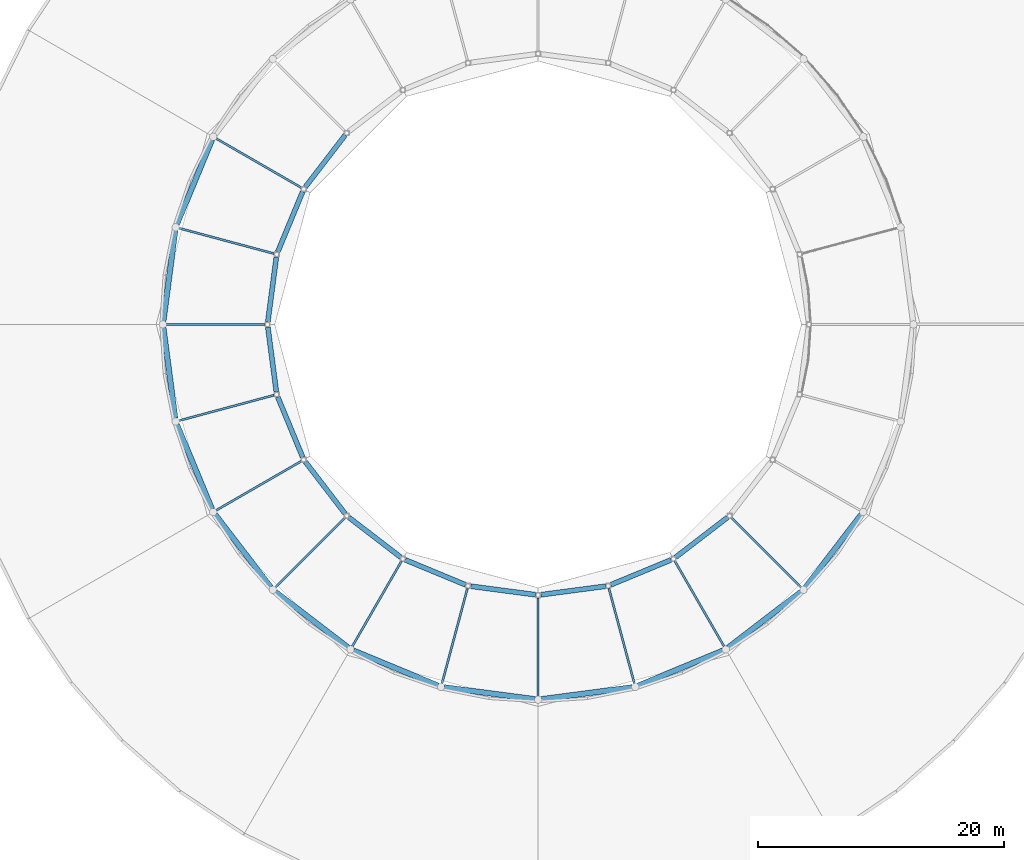
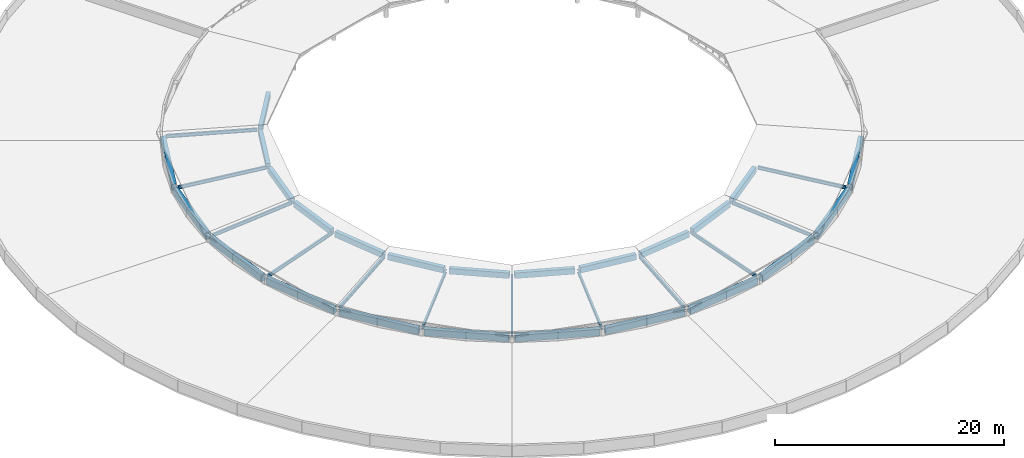
# One storey, part 11 of 77: 36 beams.
"""IFC4 building model written with IfcOpenShell, lengths in metres."""

from ifc_helpers import new_model, si_unit, direction, frame, origin, origin_2d, place, context, subcontext, project, spatial, rectangle, i_section, extrude, material, material_profile, profile_set, type_object, element, save


model = new_model("IFC4")

# Units and contexts
model_context = context("Model", 3, precision=1e-05, world=origin(), true_north=direction((0.0, 1.0)))
body_context = subcontext(model_context, "Body", "Model", "MODEL_VIEW")
ifc_project = project(units=[si_unit("LENGTHUNIT", "METRE"), si_unit("AREAUNIT", "SQUARE_METRE"), si_unit("VOLUMEUNIT", "CUBIC_METRE"), si_unit("PLANEANGLEUNIT", "RADIAN"), si_unit("MASSUNIT", "GRAM", prefix="KILO")], contexts=[model_context])

# Site, building, storey
site_placement = place(None, origin())
site = spatial("IfcSite", under=ifc_project, at=site_placement, CompositionType="ELEMENT")
building_placement = place(site_placement, origin())
building = spatial("IfcBuilding", under=site, at=building_placement, Name="Larkveld Mobility Hub", CompositionType="ELEMENT")
storey_placement = place(building_placement, frame((0.0, 0.0, 12.0)))
storey = spatial("IfcBuildingStorey", under=building, at=storey_placement, Name="L03", CompositionType="ELEMENT", Elevation=12.0)

# Beams
ifc_material_1 = material(Name="Concrete C40/50", Category="concrete")
ifc_material_profile_1 = material_profile(ifc_material_1, rectangle(XDim=0.39990234375, YDim=0.60009765625, at=origin_2d()), Name="RC BM 400x600")
ifc_profile_set_1 = profile_set([ifc_material_profile_1], Name="Concrete C40/50")
beam_type_1 = type_object("IfcBeamType", Name="BM-RC4060", PredefinedType="BEAM", material=ifc_profile_set_1)
beam_1_placement = place(storey_placement, frame((32.31005859375, 63.381103515625, 1.199951171875), z_axis=(-0.608949505638, -0.793208988592, 0.0), x_axis=(0.793208988592, -0.608949505638, 0.0)))
element("IfcBeam", 1, at=beam_1_placement, inside=storey, type_object=beam_type_1, Name="Drum Canopy Inner Ring Beam L03-1735", PredefinedType="BEAM", context=body_context, shape_type="SweptSolid", body=[
    extrude(rectangle(XDim=0.39990234375, YDim=0.60009765625, at=origin_2d()), origin(), (0.0, 0.0, 1.0), 5.302490234375),
])
beam_2_placement = place(storey_placement, frame((28.863037109375, 58.797119140625, 1.199951171875), z_axis=(-0.382578112795, -0.923923150273, 0.0), x_axis=(0.923923150273, -0.382578112795, 0.0)))
element("IfcBeam", 2, at=beam_2_placement, inside=storey, type_object=beam_type_1, Name="Drum Canopy Inner Ring Beam L03-1735", PredefinedType="BEAM", context=body_context, shape_type="SweptSolid", body=[
    extrude(rectangle(XDim=0.39990234375, YDim=0.60009765625, at=origin_2d()), origin(), (0.0, 0.0, 1.0), 5.3037109375),
])
for number, where, z_axis, x_axis, name in (
    (3, (26.720947265625, 53.47607421875, 1.199951171875), (-0.130462848358, -0.991453198693, 0.0), (0.991453198693, -0.130462848358, 0.0), "Drum Canopy Inner Ring Beam L03-1735"),
    (4, (26.029052734375, 47.781982421875, 1.199951171875), (0.130462848358, -0.991453198693, 0.0), (0.991453198693, 0.130462848358, 0.0), "Drum Canopy Inner Ring Beam L03-1735"),
):
    element("IfcBeam", number, at=place(storey_placement, frame(where, z_axis=z_axis, x_axis=x_axis)), inside=storey, type_object=beam_type_1, Name=name, PredefinedType="BEAM", context=body_context, shape_type="SweptSolid", body=[
        extrude(rectangle(XDim=0.39990234375, YDim=0.60009765625, at=origin_2d()), origin(), (0.0, 0.0, 1.0), 5.303466796875),
    ])
beam_3_placement = place(storey_placement, frame((26.833984375, 42.10302734375, 1.199951171875), z_axis=(0.382578112795, -0.923923150273, 0.0), x_axis=(0.923923150273, 0.382578112795, 0.0)))
element("IfcBeam", 5, at=beam_3_placement, inside=storey, type_object=beam_type_1, Name="Drum Canopy Inner Ring Beam L03-1735", PredefinedType="BEAM", context=body_context, shape_type="SweptSolid", body=[
    extrude(rectangle(XDim=0.39990234375, YDim=0.60009765625, at=origin_2d()), origin(), (0.0, 0.0, 1.0), 5.3037109375),
])
for number, where, z_axis, x_axis, name in (
    (6, (29.0810546875, 36.824951171875, 1.199951171875), (0.608949505638, -0.793208988592, 0.0), (0.793208988592, 0.608949505638, 0.0), "Drum Canopy Inner Ring Beam L03-1735"),
    (7, (32.618896484375, 32.31005859375, 1.199951171875), (0.793208988592, -0.608949505638, 0.0), (0.608949505638, 0.793208988592, 0.0), "Drum Canopy Inner Ring Beam L03-1735"),
):
    element("IfcBeam", number, at=place(storey_placement, frame(where, z_axis=z_axis, x_axis=x_axis)), inside=storey, type_object=beam_type_1, Name=name, PredefinedType="BEAM", context=body_context, shape_type="SweptSolid", body=[
        extrude(rectangle(XDim=0.39990234375, YDim=0.60009765625, at=origin_2d()), origin(), (0.0, 0.0, 1.0), 5.302490234375),
    ])
beam_4_placement = place(storey_placement, frame((37.202880859375, 28.863037109375, 1.199951171875), z_axis=(0.923923150273, -0.382578112795, 0.0), x_axis=(0.382578112795, 0.923923150273, 0.0)))
element("IfcBeam", 8, at=beam_4_placement, inside=storey, type_object=beam_type_1, Name="Drum Canopy Inner Ring Beam L03-1735", PredefinedType="BEAM", context=body_context, shape_type="SweptSolid", body=[
    extrude(rectangle(XDim=0.39990234375, YDim=0.60009765625, at=origin_2d()), origin(), (0.0, 0.0, 1.0), 5.3037109375),
])
for number, where, z_axis, x_axis, name in (
    (9, (42.52392578125, 26.720947265625, 1.199951171875), (0.991453198693, -0.130462848358, 0.0), (0.130462848358, 0.991453198693, 0.0), "Drum Canopy Inner Ring Beam L03-1735"),
    (10, (48.218017578125, 26.029052734375, 1.199951171875), (0.991453198693, 0.130462848358, 0.0), (-0.130462848358, 0.991453198693, 0.0), "Drum Canopy Inner Ring Beam L03-1735"),
):
    element("IfcBeam", number, at=place(storey_placement, frame(where, z_axis=z_axis, x_axis=x_axis)), inside=storey, type_object=beam_type_1, Name=name, PredefinedType="BEAM", context=body_context, shape_type="SweptSolid", body=[
        extrude(rectangle(XDim=0.39990234375, YDim=0.60009765625, at=origin_2d()), origin(), (0.0, 0.0, 1.0), 5.303466796875),
    ])
beam_5_placement = place(storey_placement, frame((53.89697265625, 26.833984375, 1.199951171875), z_axis=(0.923923150273, 0.382578112795, 0.0), x_axis=(-0.382578112795, 0.923923150273, 0.0)))
element("IfcBeam", 11, at=beam_5_placement, inside=storey, type_object=beam_type_1, Name="Drum Canopy Inner Ring Beam L03-1735", PredefinedType="BEAM", context=body_context, shape_type="SweptSolid", body=[
    extrude(rectangle(XDim=0.39990234375, YDim=0.60009765625, at=origin_2d()), origin(), (0.0, 0.0, 1.0), 5.3037109375),
])
beam_6_placement = place(storey_placement, frame((59.175048828125, 29.0810546875, 1.199951171875), z_axis=(0.793208988592, 0.608949505638, 0.0), x_axis=(-0.608949505638, 0.793208988592, 0.0)))
element("IfcBeam", 12, at=beam_6_placement, inside=storey, type_object=beam_type_1, Name="Drum Canopy Inner Ring Beam L03-1735", PredefinedType="BEAM", context=body_context, shape_type="SweptSolid", body=[
    extrude(rectangle(XDim=0.39990234375, YDim=0.60009765625, at=origin_2d()), origin(), (0.0, 0.0, 1.0), 5.302490234375),
])
ifc_material_profile_2 = material_profile(ifc_material_1, rectangle(XDim=0.449951171875, YDim=0.699951171875, at=origin_2d()), Name="RC BM 450x700")
ifc_profile_set_2 = profile_set([ifc_material_profile_2], Name="Concrete C40/50")
beam_type_2 = type_object("IfcBeamType", Name="BM-RC4570", PredefinedType="BEAM", material=ifc_profile_set_2)
beam_7_placement = place(storey_placement, frame((21.487060546875, 63.010009765625, 0.449951171875), z_axis=(-0.382797920301, -0.923832101744, 0.0), x_axis=(0.923832101744, -0.382797920301, 0.0)))
element("IfcBeam", 13, at=beam_7_placement, inside=storey, type_object=beam_type_2, Name="Drum Canopy Outer Ring Beam L03-1735", PredefinedType="BEAM", context=body_context, shape_type="SweptSolid", body=[
    extrude(rectangle(XDim=0.449951171875, YDim=0.699951171875, at=origin_2d()), origin(), (0.0, 0.0, 1.0), 7.44287109375),
])
for number, where, z_axis, x_axis, name in (
    (14, (18.5048828125, 55.635986328125, 0.449951171875), (-0.130476577955, -0.991451391953, 0.0), (0.991451391953, -0.130476577955, 0.0), "Drum Canopy Outer Ring Beam L03-1735"),
    (15, (17.533935546875, 47.741943359375, 0.449951171875), (0.130476577955, -0.991451391953, 0.0), (0.991451391953, 0.130476577955, 0.0), "Drum Canopy Outer Ring Beam L03-1735"),
):
    element("IfcBeam", number, at=place(storey_placement, frame(where, z_axis=z_axis, x_axis=x_axis)), inside=storey, type_object=beam_type_2, Name=name, PredefinedType="BEAM", context=body_context, shape_type="SweptSolid", body=[
        extrude(rectangle(XDim=0.449951171875, YDim=0.699951171875, at=origin_2d()), origin(), (0.0, 0.0, 1.0), 7.441650390625),
    ])
beam_8_placement = place(storey_placement, frame((18.637939453125, 39.865966796875, 0.449951171875), z_axis=(0.382797920301, -0.923832101744, 0.0), x_axis=(0.923832101744, 0.382797920301, 0.0)))
element("IfcBeam", 16, at=beam_8_placement, inside=storey, type_object=beam_type_2, Name="Drum Canopy Outer Ring Beam L03-1735", PredefinedType="BEAM", context=body_context, shape_type="SweptSolid", body=[
    extrude(rectangle(XDim=0.449951171875, YDim=0.699951171875, at=origin_2d()), origin(), (0.0, 0.0, 1.0), 7.44287109375),
])
for number, where, z_axis, x_axis, name in (
    (17, (21.743896484375, 32.5439453125, 0.449951171875), (0.608754453805, -0.793358692504, 0.0), (0.793358692504, 0.608754453805, 0.0), "Drum Canopy Outer Ring Beam L03-1735"),
    (18, (26.638916015625, 26.27490234375, 0.449951171875), (0.793358692504, -0.608754453805, 0.0), (0.608754453805, 0.793358692504, 0.0), "Drum Canopy Outer Ring Beam L03-1735"),
):
    element("IfcBeam", number, at=place(storey_placement, frame(where, z_axis=z_axis, x_axis=x_axis)), inside=storey, type_object=beam_type_2, Name=name, PredefinedType="BEAM", context=body_context, shape_type="SweptSolid", body=[
        extrude(rectangle(XDim=0.449951171875, YDim=0.699951171875, at=origin_2d()), origin(), (0.0, 0.0, 1.0), 7.443115234375),
    ])
beam_9_placement = place(storey_placement, frame((32.989990234375, 21.487060546875, 0.449951171875), z_axis=(0.923832101744, -0.382797920301, 0.0), x_axis=(0.382797920301, 0.923832101744, 0.0)))
element("IfcBeam", 19, at=beam_9_placement, inside=storey, type_object=beam_type_2, Name="Drum Canopy Outer Ring Beam L03-1735", PredefinedType="BEAM", context=body_context, shape_type="SweptSolid", body=[
    extrude(rectangle(XDim=0.449951171875, YDim=0.699951171875, at=origin_2d()), origin(), (0.0, 0.0, 1.0), 7.44287109375),
])
for number, where, z_axis, x_axis, name in (
    (20, (40.364013671875, 18.5048828125, 0.449951171875), (0.991451391953, -0.130476577955, 0.0), (0.130476577955, 0.991451391953, 0.0), "Drum Canopy Outer Ring Beam L03-1735"),
    (21, (48.258056640625, 17.533935546875, 0.449951171875), (0.991451391953, 0.130476577955, 0.0), (-0.130476577955, 0.991451391953, 0.0), "Drum Canopy Outer Ring Beam L03-1735"),
):
    element("IfcBeam", number, at=place(storey_placement, frame(where, z_axis=z_axis, x_axis=x_axis)), inside=storey, type_object=beam_type_2, Name=name, PredefinedType="BEAM", context=body_context, shape_type="SweptSolid", body=[
        extrude(rectangle(XDim=0.449951171875, YDim=0.699951171875, at=origin_2d()), origin(), (0.0, 0.0, 1.0), 7.441650390625),
    ])
beam_10_placement = place(storey_placement, frame((56.134033203125, 18.637939453125, 0.449951171875), z_axis=(0.923832101744, 0.382797920301, 0.0), x_axis=(-0.382797920301, 0.923832101744, 0.0)))
element("IfcBeam", 22, at=beam_10_placement, inside=storey, type_object=beam_type_2, Name="Drum Canopy Outer Ring Beam L03-1735", PredefinedType="BEAM", context=body_context, shape_type="SweptSolid", body=[
    extrude(rectangle(XDim=0.449951171875, YDim=0.699951171875, at=origin_2d()), origin(), (0.0, 0.0, 1.0), 7.44287109375),
])
for number, where, z_axis, x_axis, name in (
    (23, (63.4560546875, 21.743896484375, 0.449951171875), (0.793358692504, 0.608754453805, 0.0), (-0.608754453805, 0.793358692504, 0.0), "Drum Canopy Outer Ring Beam L03-1735"),
    (24, (69.72509765625, 26.638916015625, 0.449951171875), (0.608754453805, 0.793358692504, 0.0), (-0.793358692504, 0.608754453805, 0.0), "Drum Canopy Outer Ring Beam L03-1735"),
):
    element("IfcBeam", number, at=place(storey_placement, frame(where, z_axis=z_axis, x_axis=x_axis)), inside=storey, type_object=beam_type_2, Name=name, PredefinedType="BEAM", context=body_context, shape_type="SweptSolid", body=[
        extrude(rectangle(XDim=0.449951171875, YDim=0.699951171875, at=origin_2d()), origin(), (0.0, 0.0, 1.0), 7.443115234375),
    ])
ifc_material_2 = material(Name="Steel S355JR", Category="steel")
ifc_material_profile_3 = material_profile(ifc_material_2, i_section(OverallWidth=0.169921875, OverallDepth=0.360107421875, WebThickness=0.008056640625, FlangeThickness=0.0126953125, FilletRadius=0.01806640625, at=origin_2d()), Name="IPE 360")
ifc_profile_set_3 = profile_set([ifc_material_profile_3], Name="Steel S355JR")
beam_type_3 = type_object("IfcBeamType", Name="BM-STIPE360", PredefinedType="BEAM", material=ifc_profile_set_3)
beam_11_placement = place(storey_placement, frame((21.81103515625, 63.1201171875, 0.580078125), z_axis=(0.862730863892, -0.498131769235, 0.086949393144), x_axis=(0.500025500909, 0.866010680327, 0.0)))
element("IfcBeam", 25, at=beam_11_placement, inside=storey, type_object=beam_type_3, Name="Drum Canopy Radial Rafter L03-1735", PredefinedType="BEAM", context=body_context, shape_type="SweptSolid", body=[
    extrude(i_section(OverallWidth=0.169921875, OverallDepth=0.360107421875, WebThickness=0.008056640625, FlangeThickness=0.0126953125, FilletRadius=0.01806640625, at=origin_2d()), origin(), (0.0, 0.0, 1.0), 8.050048828125),
])
beam_12_placement = place(storey_placement, frame((18.7900390625, 55.826904296875, 0.580078125), z_axis=(0.962264999411, -0.257851357935, 0.086941061178), x_axis=(0.258831434294, 0.96592250653, 0.0)))
element("IfcBeam", 26, at=beam_12_placement, inside=storey, type_object=beam_type_3, Name="Drum Canopy Radial Rafter L03-1735", PredefinedType="BEAM", context=body_context, shape_type="SweptSolid", body=[
    extrude(i_section(OverallWidth=0.169921875, OverallDepth=0.360107421875, WebThickness=0.008056640625, FlangeThickness=0.0126953125, FilletRadius=0.01806640625, at=origin_2d()), origin(), (0.0, 0.0, 1.0), 8.05078125),
])
beam_13_placement = place(storey_placement, frame((17.760009765625, 48.0, 0.580078125), z_axis=(0.996213113902, 0.0, 0.086944992315), x_axis=(0.0, 1.0, 0.0)))
element("IfcBeam", 27, at=beam_13_placement, inside=storey, type_object=beam_type_3, Name="Drum Canopy Radial Rafter L03-1735", PredefinedType="BEAM", context=body_context, shape_type="SweptSolid", body=[
    extrude(i_section(OverallWidth=0.169921875, OverallDepth=0.360107421875, WebThickness=0.008056640625, FlangeThickness=0.0126953125, FilletRadius=0.01806640625, at=origin_2d()), origin(), (0.0, 0.0, 1.0), 8.050537109375),
])
beam_14_placement = place(storey_placement, frame((18.7900390625, 40.173095703125, 0.580078125), z_axis=(0.962264999411, 0.257851357935, 0.086941061178), x_axis=(-0.258831434294, 0.96592250653, 0.0)))
element("IfcBeam", 28, at=beam_14_placement, inside=storey, type_object=beam_type_3, Name="Drum Canopy Radial Rafter L03-1735", PredefinedType="BEAM", context=body_context, shape_type="SweptSolid", body=[
    extrude(i_section(OverallWidth=0.169921875, OverallDepth=0.360107421875, WebThickness=0.008056640625, FlangeThickness=0.0126953125, FilletRadius=0.01806640625, at=origin_2d()), origin(), (0.0, 0.0, 1.0), 8.05078125),
])
beam_15_placement = place(storey_placement, frame((21.81103515625, 32.8798828125, 0.580078125), z_axis=(0.862730863892, 0.498131769235, 0.086949393144), x_axis=(-0.500025500909, 0.866010680327, 0.0)))
element("IfcBeam", 29, at=beam_15_placement, inside=storey, type_object=beam_type_3, Name="Drum Canopy Radial Rafter L03-1735", PredefinedType="BEAM", context=body_context, shape_type="SweptSolid", body=[
    extrude(i_section(OverallWidth=0.169921875, OverallDepth=0.360107421875, WebThickness=0.008056640625, FlangeThickness=0.0126953125, FilletRadius=0.01806640625, at=origin_2d()), origin(), (0.0, 0.0, 1.0), 8.050048828125),
])
beam_16_placement = place(storey_placement, frame((26.616943359375, 26.616943359375, 0.580078125), z_axis=(0.70442917265, 0.70442917265, 0.086942978087), x_axis=(-0.707106781187, 0.707106781187, 0.0)))
element("IfcBeam", 30, at=beam_16_placement, inside=storey, type_object=beam_type_3, Name="Drum Canopy Radial Rafter L03-1735", PredefinedType="BEAM", context=body_context, shape_type="SweptSolid", body=[
    extrude(i_section(OverallWidth=0.169921875, OverallDepth=0.360107421875, WebThickness=0.008056640625, FlangeThickness=0.0126953125, FilletRadius=0.01806640625, at=origin_2d()), origin(), (0.0, 0.0, 1.0), 8.05078125),
])
beam_17_placement = place(storey_placement, frame((32.8798828125, 21.81103515625, 0.580078125), z_axis=(0.498131769235, 0.862730863892, 0.086949393144), x_axis=(-0.866010680327, 0.500025500909, 0.0)))
element("IfcBeam", 31, at=beam_17_placement, inside=storey, type_object=beam_type_3, Name="Drum Canopy Radial Rafter L03-1735", PredefinedType="BEAM", context=body_context, shape_type="SweptSolid", body=[
    extrude(i_section(OverallWidth=0.169921875, OverallDepth=0.360107421875, WebThickness=0.008056640625, FlangeThickness=0.0126953125, FilletRadius=0.01806640625, at=origin_2d()), origin(), (0.0, 0.0, 1.0), 8.050048828125),
])
beam_18_placement = place(storey_placement, frame((40.173095703125, 18.7900390625, 0.580078125), z_axis=(0.257851357935, 0.962264999411, 0.086941061178), x_axis=(-0.96592250653, 0.258831434294, 0.0)))
element("IfcBeam", 32, at=beam_18_placement, inside=storey, type_object=beam_type_3, Name="Drum Canopy Radial Rafter L03-1735", PredefinedType="BEAM", context=body_context, shape_type="SweptSolid", body=[
    extrude(i_section(OverallWidth=0.169921875, OverallDepth=0.360107421875, WebThickness=0.008056640625, FlangeThickness=0.0126953125, FilletRadius=0.01806640625, at=origin_2d()), origin(), (0.0, 0.0, 1.0), 8.05078125),
])
beam_19_placement = place(storey_placement, frame((48.0, 17.760009765625, 0.580078125), z_axis=(0.0, 0.996213113902, 0.086944992315), x_axis=(-1.0, 0.0, 0.0)))
element("IfcBeam", 33, at=beam_19_placement, inside=storey, type_object=beam_type_3, Name="Drum Canopy Radial Rafter L03-1735", PredefinedType="BEAM", context=body_context, shape_type="SweptSolid", body=[
    extrude(i_section(OverallWidth=0.169921875, OverallDepth=0.360107421875, WebThickness=0.008056640625, FlangeThickness=0.0126953125, FilletRadius=0.01806640625, at=origin_2d()), origin(), (0.0, 0.0, 1.0), 8.050537109375),
])
beam_20_placement = place(storey_placement, frame((55.826904296875, 18.7900390625, 0.580078125), z_axis=(-0.257851357935, 0.962264999411, 0.086941061178), x_axis=(-0.96592250653, -0.258831434294, 0.0)))
element("IfcBeam", 34, at=beam_20_placement, inside=storey, type_object=beam_type_3, Name="Drum Canopy Radial Rafter L03-1735", PredefinedType="BEAM", context=body_context, shape_type="SweptSolid", body=[
    extrude(i_section(OverallWidth=0.169921875, OverallDepth=0.360107421875, WebThickness=0.008056640625, FlangeThickness=0.0126953125, FilletRadius=0.01806640625, at=origin_2d()), origin(), (0.0, 0.0, 1.0), 8.05078125),
])
beam_21_placement = place(storey_placement, frame((63.1201171875, 21.81103515625, 0.580078125), z_axis=(-0.498131769235, 0.862730863892, 0.086949393144), x_axis=(-0.866010680327, -0.500025500909, 0.0)))
element("IfcBeam", 35, at=beam_21_placement, inside=storey, type_object=beam_type_3, Name="Drum Canopy Radial Rafter L03-1735", PredefinedType="BEAM", context=body_context, shape_type="SweptSolid", body=[
    extrude(i_section(OverallWidth=0.169921875, OverallDepth=0.360107421875, WebThickness=0.008056640625, FlangeThickness=0.0126953125, FilletRadius=0.01806640625, at=origin_2d()), origin(), (0.0, 0.0, 1.0), 8.050048828125),
])
beam_22_placement = place(storey_placement, frame((69.383056640625, 26.616943359375, 0.580078125), z_axis=(-0.70442917265, 0.70442917265, 0.086942978087), x_axis=(-0.707106781187, -0.707106781187, 0.0)))
element("IfcBeam", 36, at=beam_22_placement, inside=storey, type_object=beam_type_3, Name="Drum Canopy Radial Rafter L03-1735", PredefinedType="BEAM", context=body_context, shape_type="SweptSolid", body=[
    extrude(i_section(OverallWidth=0.169921875, OverallDepth=0.360107421875, WebThickness=0.008056640625, FlangeThickness=0.0126953125, FilletRadius=0.01806640625, at=origin_2d()), origin(), (0.0, 0.0, 1.0), 8.05078125),
])

save(model, "model.ifc")
